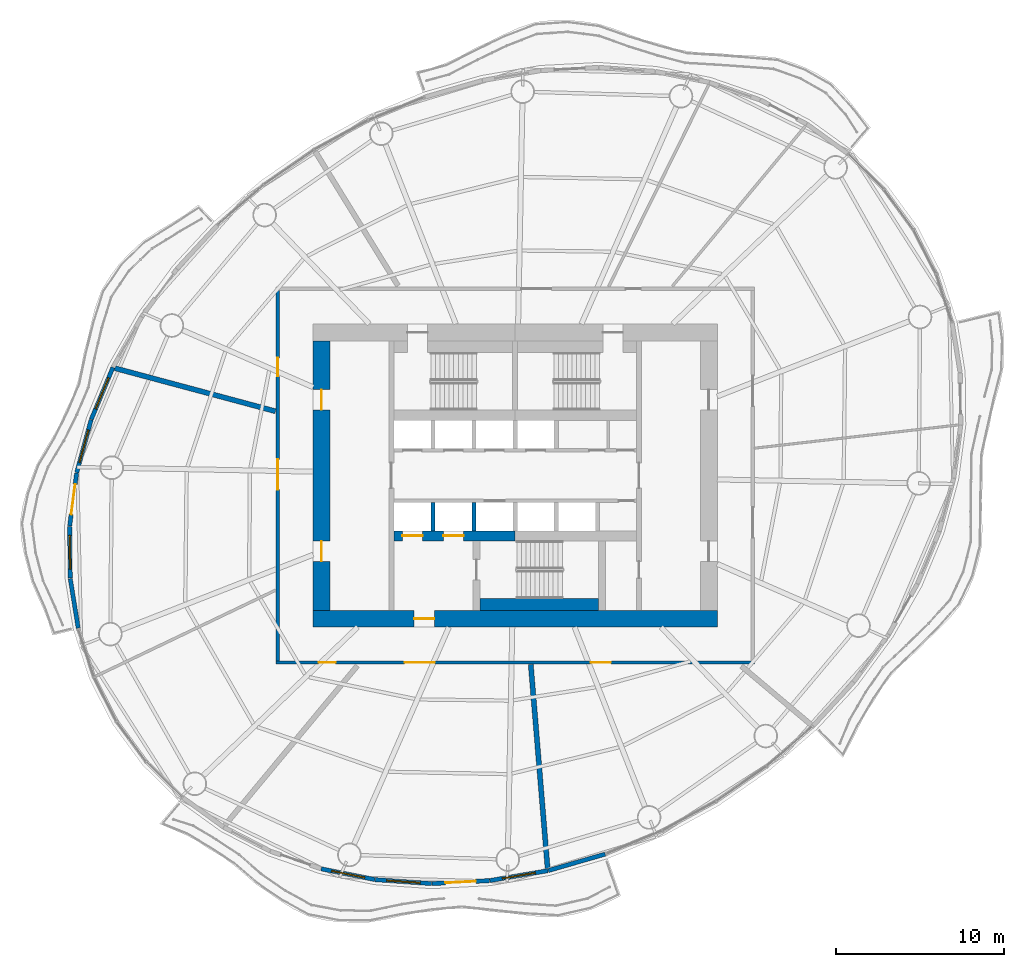
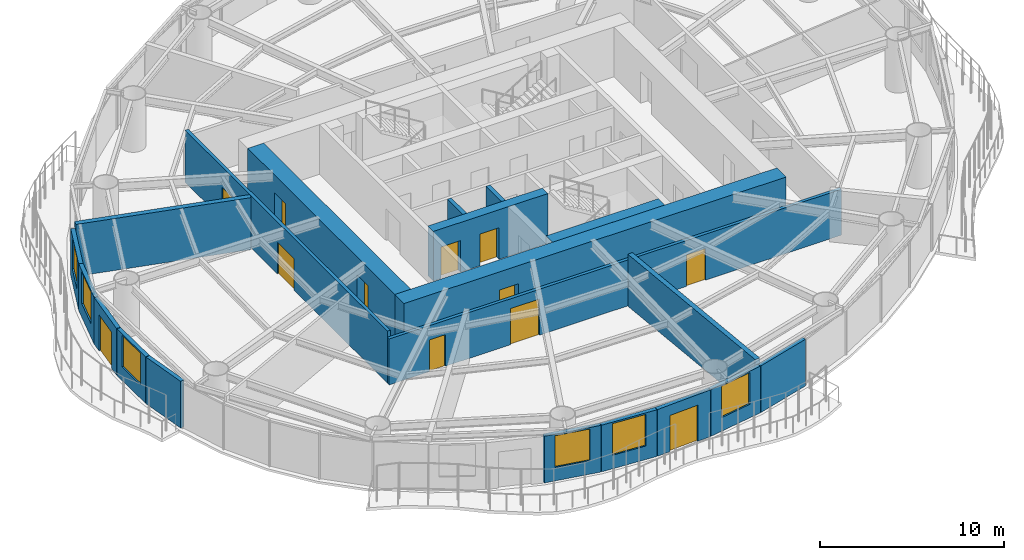
# One storey, part 8 of 15: 20 walls, 12 doors, 6 windows, 18 openings.
"""IFC4 building model written with IfcOpenShell, lengths in metres."""

from ifc_helpers import new_model, si_unit, direction, frame, frame_2d, origin, place, context, subcontext, project, spatial, rectangle, extrude, material, layer, layer_set, type_object, element, fill, save


model = new_model("IFC4")

# Units and contexts
model_context = context("Model", 3, precision=1e-05, world=origin(), true_north=direction((0.0, 1.0)))
body_context = subcontext(model_context, "Body", "Model", "MODEL_VIEW")
ifc_project = project(units=[si_unit("LENGTHUNIT", "METRE"), si_unit("AREAUNIT", "SQUARE_METRE"), si_unit("VOLUMEUNIT", "CUBIC_METRE"), si_unit("PLANEANGLEUNIT", "RADIAN"), si_unit("MASSUNIT", "GRAM", prefix="KILO")], contexts=[model_context])

# Site, building, storey
site_placement = place(None, origin())
site = spatial("IfcSite", under=ifc_project, at=site_placement, CompositionType="ELEMENT")
building_placement = place(site_placement, origin())
building = spatial("IfcBuilding", under=site, at=building_placement, Name="Vermilion Reach Broadcast Tower", CompositionType="ELEMENT")
storey_placement = place(building_placement, frame((0.0, 0.0, 161.39990234375)))
storey = spatial("IfcBuildingStorey", under=building, at=storey_placement, Name="L38", CompositionType="ELEMENT", Elevation=161.39990234375)

# Wall, openings, doors
ifc_material_1 = material(Name="Concrete C70", Category="concrete")
ifc_layer_1 = layer(ifc_material_1, 0.60009765625)
ifc_layer_set_1 = layer_set([ifc_layer_1], Name="Core inner wall 600 mm Concrete C70")
wall_type_1 = type_object("IfcWallType", Name="Core inner wall 600 mm Concrete C70", PredefinedType="SHEAR", material=ifc_layer_set_1)
wall_1_placement = place(storey_placement, frame((-13.199951171875, -3.580078125, 0.0), z_axis=(0.0, 0.0, 1.0), x_axis=(1.0, 0.0, 0.0)))
wall_1 = element("IfcWall", 1, at=wall_1_placement, inside=storey, type_object=wall_type_1, Name="L38 core wall wisW", PredefinedType="SHEAR", context=body_context, shape_type="SweptSolid", body=[
    extrude(rectangle(XDim=7.199951171875, YDim=0.60009765625, at=frame_2d((3.60009765625, 0.0))), origin(), (0.0, 0.0, 1.0), 3.300048828125),
])
opening_1_placement = place(wall_1_placement, frame((0.495849609375, 0.0, 0.0)))
opening_1 = element("IfcOpeningElement", 2, at=opening_1_placement, cuts=wall_1, Name="Opening LD1", PredefinedType="OPENING", context=body_context, shape_type="SweptSolid", body=[
    extrude(rectangle(XDim=1.199951171875, YDim=2.10009765625, at=frame_2d((0.60009765625, 1.050048828125))), frame((0.0, 0.31005859375, 0.0), z_axis=(0.0, -1.0, 0.0), x_axis=(1.0, 0.0, 0.0)), (0.0, 0.0, 1.0), 0.6201171875),
])
opening_2_placement = place(wall_1_placement, frame((2.9375, 0.0, 0.0)))
opening_2 = element("IfcOpeningElement", 3, at=opening_2_placement, cuts=wall_1, Name="Opening LD1", PredefinedType="OPENING", context=body_context, shape_type="SweptSolid", body=[
    extrude(rectangle(XDim=1.199951171875, YDim=2.10009765625, at=frame_2d((0.60009765625, 1.050048828125))), frame((0.0, 0.31005859375, 0.0), z_axis=(0.0, -1.0, 0.0), x_axis=(1.0, 0.0, 0.0)), (0.0, 0.0, 1.0), 0.6201171875),
])
ifc_material_2 = material(Name="Stainless steel", Category="steel")
door_type_1 = type_object("IfcDoorType", Name="Landing door 1200 x 2100", OperationType="DOUBLE_DOOR_SLIDING", PredefinedType="NOTDEFINED", material=ifc_material_2)
door_1_placement = place(opening_1_placement, origin())
door_1 = element("IfcDoor", 4, at=door_1_placement, inside=storey, type_object=door_type_1, Name="L38 landing door FF1", OperationType="DOUBLE_DOOR_SLIDING", OverallHeight=2.10009765625, OverallWidth=1.199951171875, PredefinedType="NOTDEFINED", context=body_context, shape_type="SweptSolid", body=[
    extrude(rectangle(XDim=1.199951171875, YDim=2.10009765625, at=frame_2d((0.60009765625, 1.050048828125))), frame((0.0, 0.02490234375, 0.0), z_axis=(0.0, -1.0, 0.0), x_axis=(1.0, 0.0, 0.0)), (0.0, 0.0, 1.0), 0.050048828125),
])
fill(opening_1, door_1)
door_2_placement = place(opening_2_placement, origin())
door_2 = element("IfcDoor", 5, at=door_2_placement, inside=storey, type_object=door_type_1, Name="L38 landing door FF2", OperationType="DOUBLE_DOOR_SLIDING", OverallHeight=2.10009765625, OverallWidth=1.199951171875, PredefinedType="NOTDEFINED", context=body_context, shape_type="SweptSolid", body=[
    extrude(rectangle(XDim=1.199951171875, YDim=2.10009765625, at=frame_2d((0.60009765625, 1.050048828125))), frame((0.0, 0.02490234375, 0.0), z_axis=(0.0, -1.0, 0.0), x_axis=(1.0, 0.0, 0.0)), (0.0, 0.0, 1.0), 0.050048828125),
])
fill(opening_2, door_2)

# Wall, opening, door
ifc_material_3 = material(Name="Concrete C70", Category="concrete")
ifc_layer_2 = layer(ifc_material_3, 1.0)
ifc_layer_set_2 = layer_set([ifc_layer_2], Name="Core outer wall 1000 mm Concrete C70")
wall_type_2 = type_object("IfcWallType", Name="Core outer wall 1000 mm Concrete C70", PredefinedType="SHEAR", material=ifc_layer_set_2)
wall_2_placement = place(storey_placement, frame((-18.0, -8.5, 0.0), z_axis=(0.0, 0.0, 1.0), x_axis=(1.0, 0.0, 0.0)))
wall_2 = element("IfcWall", 6, at=wall_2_placement, inside=storey, type_object=wall_type_2, Name="L38 core wall os", PredefinedType="SHEAR", context=body_context, shape_type="SweptSolid", body=[
    extrude(rectangle(XDim=24.0, YDim=1.0, at=frame_2d((12.0, 0.0))), origin(), (0.0, 0.0, 1.0), 3.300048828125),
])
opening_3_placement = place(wall_2_placement, frame((6.0, 0.0, 0.0)))
opening_3 = element("IfcOpeningElement", 7, at=opening_3_placement, cuts=wall_2, Name="Opening D02", PredefinedType="OPENING", context=body_context, shape_type="SweptSolid", body=[
    extrude(rectangle(XDim=1.199951171875, YDim=2.10009765625, at=frame_2d((0.60009765625, 1.050048828125))), frame((0.0, 0.510009765625, 0.0), z_axis=(0.0, -1.0, 0.0), x_axis=(1.0, 0.0, 0.0)), (0.0, 0.0, 1.0), 1.02001953125),
])
ifc_material_4 = material(Name="Painted steel fire door", Category="steel")
door_type_2 = type_object("IfcDoorType", Name="Firefighting lobby door 1200 x 2100", OperationType="DOUBLE_DOOR_SINGLE_SWING", PredefinedType="NOTDEFINED", material=ifc_material_4)
door_3_placement = place(opening_3_placement, origin())
door_3 = element("IfcDoor", 8, at=door_3_placement, inside=storey, type_object=door_type_2, Name="L38 ffdoor door FFL", OperationType="DOUBLE_DOOR_SINGLE_SWING", OverallHeight=2.10009765625, OverallWidth=1.199951171875, PredefinedType="NOTDEFINED", context=body_context, shape_type="SweptSolid", body=[
    extrude(rectangle(XDim=1.199951171875, YDim=2.10009765625, at=frame_2d((0.60009765625, 1.050048828125))), frame((0.0, 0.02490234375, 0.0), z_axis=(0.0, -1.0, 0.0), x_axis=(1.0, 0.0, 0.0)), (0.0, 0.0, 1.0), 0.050048828125),
])
fill(opening_3, door_3)

# Wall, openings, doors
wall_3_placement = place(storey_placement, frame((-17.5, 8.0, 0.0), z_axis=(0.0, 0.0, 1.0), x_axis=(0.0, -1.0, 0.0)))
wall_3 = element("IfcWall", 9, at=wall_3_placement, inside=storey, type_object=wall_type_2, Name="L38 core wall ow", PredefinedType="SHEAR", context=body_context, shape_type="SweptSolid", body=[
    extrude(rectangle(XDim=16.0, YDim=1.0, at=frame_2d((8.0, 0.0))), origin(), (0.0, 0.0, 1.0), 3.300048828125),
])
opening_4_placement = place(wall_3_placement, frame((11.89990234375, 0.0, 0.0)))
opening_4 = element("IfcOpeningElement", 10, at=opening_4_placement, cuts=wall_3, Name="Opening D03", PredefinedType="OPENING", context=body_context, shape_type="SweptSolid", body=[
    extrude(rectangle(XDim=1.199951171875, YDim=2.10009765625, at=frame_2d((0.60009765625, 1.050048828125))), frame((0.0, 0.510009765625, 0.0), z_axis=(0.0, -1.0, 0.0), x_axis=(1.0, 0.0, 0.0)), (0.0, 0.0, 1.0), 1.02001953125),
])
opening_5_placement = place(wall_3_placement, frame((2.89990234375, 0.0, 0.0)))
opening_5 = element("IfcOpeningElement", 11, at=opening_5_placement, cuts=wall_3, Name="Opening D03", PredefinedType="OPENING", context=body_context, shape_type="SweptSolid", body=[
    extrude(rectangle(XDim=1.199951171875, YDim=2.10009765625, at=frame_2d((0.60009765625, 1.050048828125))), frame((0.0, 0.510009765625, 0.0), z_axis=(0.0, -1.0, 0.0), x_axis=(1.0, 0.0, 0.0)), (0.0, 0.0, 1.0), 1.02001953125),
])
ifc_material_5 = material(Name="Painted steel fire door", Category="steel")
door_type_3 = type_object("IfcDoorType", Name="Core lobby door 1200 x 2100", OperationType="DOUBLE_DOOR_SINGLE_SWING", PredefinedType="NOTDEFINED", material=ifc_material_5)
door_4_placement = place(opening_4_placement, origin())
door_4 = element("IfcDoor", 12, at=door_4_placement, inside=storey, type_object=door_type_3, Name="L38 slot door W0", OperationType="DOUBLE_DOOR_SINGLE_SWING", OverallHeight=2.10009765625, OverallWidth=1.199951171875, PredefinedType="NOTDEFINED", context=body_context, shape_type="SweptSolid", body=[
    extrude(rectangle(XDim=1.199951171875, YDim=2.10009765625, at=frame_2d((0.60009765625, 1.050048828125))), frame((0.0, 0.02490234375, 0.0), z_axis=(0.0, -1.0, 0.0), x_axis=(1.0, 0.0, 0.0)), (0.0, 0.0, 1.0), 0.050048828125),
])
fill(opening_4, door_4)
door_5_placement = place(opening_5_placement, origin())
door_5 = element("IfcDoor", 13, at=door_5_placement, inside=storey, type_object=door_type_3, Name="L38 slot door W1", OperationType="DOUBLE_DOOR_SINGLE_SWING", OverallHeight=2.10009765625, OverallWidth=1.199951171875, PredefinedType="NOTDEFINED", context=body_context, shape_type="SweptSolid", body=[
    extrude(rectangle(XDim=1.199951171875, YDim=2.10009765625, at=frame_2d((0.60009765625, 1.050048828125))), frame((0.0, 0.02490234375, 0.0), z_axis=(0.0, -1.0, 0.0), x_axis=(1.0, 0.0, 0.0)), (0.0, 0.0, 1.0), 0.050048828125),
])
fill(opening_5, door_5)

# Walls
ifc_material_6 = material(Name="Concrete C50", Category="concrete")
ifc_layer_3 = layer(ifc_material_6, 0.25)
ifc_layer_set_3 = layer_set([ifc_layer_3], Name="Core shaft wall 250 mm Concrete C50")
wall_type_3 = type_object("IfcWallType", Name="Core shaft wall 250 mm Concrete C50", PredefinedType="SHEAR", material=ifc_layer_set_3)
for number, where, z_axis, x_axis, name in (
    (14, (-10.88330078125, -1.60009765625, 0.0), (0.0, 0.0, 1.0), (0.0, -1.0, 0.0), "L38 core wall psS0"),
    (15, (-8.441650390625, -1.60009765625, 0.0), (0.0, 0.0, 1.0), (0.0, -1.0, 0.0), "L38 core wall psS1"),
):
    element("IfcWall", number, at=place(storey_placement, frame(where, z_axis=z_axis, x_axis=x_axis)), inside=storey, type_object=wall_type_3, Name=name, PredefinedType="SHEAR", context=body_context, shape_type="SweptSolid", body=[
        extrude(rectangle(XDim=1.679931640625, YDim=0.25, at=frame_2d((0.83984375, 0.0))), origin(), (0.0, 0.0, 1.0), 3.300048828125),
    ])
ifc_material_7 = material(Name="Concrete C70", Category="concrete")
ifc_layer_4 = layer(ifc_material_7, 0.699951171875)
ifc_layer_set_4 = layer_set([ifc_layer_4], Name="Core stair wall 700 mm Concrete C70")
wall_type_4 = type_object("IfcWallType", Name="Core stair wall 700 mm Concrete C70", PredefinedType="SHEAR", material=ifc_layer_set_4)
wall_4_placement = place(storey_placement, frame((-8.10009765625, -7.64990234375, 0.0), z_axis=(0.0, 0.0, 1.0), x_axis=(1.0, 0.0, 0.0)))
element("IfcWall", 16, at=wall_4_placement, inside=storey, type_object=wall_type_4, Name="L38 core wall l3", PredefinedType="SHEAR", context=body_context, shape_type="SweptSolid", body=[
    extrude(rectangle(XDim=7.050048828125, YDim=0.699951171875, at=frame_2d((3.52490234375, 0.0))), origin(), (0.0, 0.0, 1.0), 3.300048828125),
])

# Wall, openings, doors
ifc_material_8 = material(Name="Fire-rated gypsum board partition")
ifc_layer_5 = layer(ifc_material_8, 0.199951171875)
ifc_layer_set_5 = layer_set([ifc_layer_5], Name="Corridor wall 200 fire-rated")
wall_type_5 = type_object("IfcWallType", Name="Corridor wall 200 fire-rated", PredefinedType="PARTITIONING", material=ifc_layer_set_5)
wall_5_placement = place(storey_placement, frame((-20.10009765625, -11.0, 0.0), z_axis=(0.0, 0.0, 1.0), x_axis=(0.0, 1.0, 0.0)))
wall_5 = element("IfcWall", 17, at=wall_5_placement, inside=storey, type_object=wall_type_5, Name="Corridor wall 38.W", PredefinedType="PARTITIONING", context=body_context, shape_type="SweptSolid", body=[
    extrude(rectangle(XDim=22.0, YDim=0.199951171875, at=frame_2d((11.0, 0.0))), origin(), (0.0, 0.0, 1.0), 3.4501953125),
])
opening_6_placement = place(wall_5_placement, frame((16.895751953125, 0.0, 0.0)))
opening_6 = element("IfcOpeningElement", 18, at=opening_6_placement, cuts=wall_5, Name="Opening D28", PredefinedType="OPENING", context=body_context, shape_type="SweptSolid", body=[
    extrude(rectangle(XDim=1.10009765625, YDim=2.10009765625, at=frame_2d((0.550048828125, 1.050048828125))), frame((0.0, 0.10986328125, 0.0), z_axis=(0.0, -1.0, 0.0), x_axis=(1.0, 0.0, 0.0)), (0.0, 0.0, 1.0), 0.219970703125),
])
opening_7_placement = place(wall_5_placement, frame((10.167724609375, 0.0, 0.0)))
opening_7 = element("IfcOpeningElement", 19, at=opening_7_placement, cuts=wall_5, Name="Opening D21", PredefinedType="OPENING", context=body_context, shape_type="SweptSolid", body=[
    extrude(rectangle(XDim=1.800048828125, YDim=2.10009765625, at=frame_2d((0.89990234375, 1.050048828125))), frame((0.0, 0.10986328125, 0.0), z_axis=(0.0, -1.0, 0.0), x_axis=(1.0, 0.0, 0.0)), (0.0, 0.0, 1.0), 0.219970703125),
])
ifc_material_9 = material(Name="Timber door leaf", Category="wood")
door_type_4 = type_object("IfcDoorType", Name="Door pair 1800x2100", OperationType="NOTDEFINED", PredefinedType="DOOR", material=ifc_material_9)
door_6_placement = place(opening_7_placement, origin())
door_6 = element("IfcDoor", 20, at=door_6_placement, inside=storey, type_object=door_type_4, Name="Door 38.04", OperationType="DOUBLE_DOOR_SINGLE_SWING", OverallHeight=2.10009765625, OverallWidth=1.800048828125, PredefinedType="DOOR", context=body_context, shape_type="SweptSolid", body=[
    extrude(rectangle(XDim=1.800048828125, YDim=2.10009765625, at=frame_2d((0.89990234375, 1.050048828125))), frame((0.0, 0.02490234375, 0.0), z_axis=(0.0, -1.0, 0.0), x_axis=(1.0, 0.0, 0.0)), (0.0, 0.0, 1.0), 0.050048828125),
])
fill(opening_7, door_6)
ifc_material_10 = material(Name="Acoustic sound-lock door leaf")
door_type_5 = type_object("IfcDoorType", Name="Door single 1100x2100", OperationType="NOTDEFINED", PredefinedType="DOOR", material=ifc_material_10)
door_7_placement = place(opening_6_placement, origin())
door_7 = element("IfcDoor", 21, at=door_7_placement, inside=storey, type_object=door_type_5, Name="Door 38.03", OperationType="SINGLE_SWING_LEFT", OverallHeight=2.10009765625, OverallWidth=1.10009765625, PredefinedType="DOOR", context=body_context, shape_type="SweptSolid", body=[
    extrude(rectangle(XDim=1.10009765625, YDim=2.10009765625, at=frame_2d((0.550048828125, 1.050048828125))), frame((0.0, 0.02490234375, 0.0), z_axis=(0.0, -1.0, 0.0), x_axis=(1.0, 0.0, 0.0)), (0.0, 0.0, 1.0), 0.050048828125),
])
fill(opening_6, door_7)

# Walls
ifc_material_11 = material(Name="Double-leaf plasterboard on isolated steel stud", Category="steel")
ifc_layer_6 = layer(ifc_material_11, 0.300048828125)
ifc_layer_set_6 = layer_set([ifc_layer_6], Name="Partition 300 acoustic double leaf")
wall_type_6 = type_object("IfcWallType", Name="Partition 300 acoustic double leaf", PredefinedType="PARTITIONING", material=ifc_layer_set_6)
wall_6_placement = place(storey_placement, frame((-29.771728515625, 6.37548828125, 0.0), z_axis=(0.0, 0.0, 1.0), x_axis=(0.965867747251, -0.259035701826, 0.0)))
element("IfcWall", 22, at=wall_6_placement, inside=storey, type_object=wall_type_6, Name="Partition 38.04", PredefinedType="PARTITIONING", context=body_context, shape_type="SweptSolid", body=[
    extrude(rectangle(XDim=9.869873046875, YDim=0.300048828125, at=frame_2d((4.93505859375, 0.0))), origin(), (0.0, 0.0, 1.0), 3.4501953125),
])
wall_7_placement = place(storey_placement, frame((-4.07373046875, -23.3388671875, 0.0), z_axis=(0.0, 0.0, 1.0), x_axis=(-0.082245080322, 0.996612134565, 0.0)))
element("IfcWall", 23, at=wall_7_placement, inside=storey, type_object=wall_type_6, Name="Partition 38.07", PredefinedType="PARTITIONING", context=body_context, shape_type="SweptSolid", body=[
    extrude(rectangle(XDim=12.167724609375, YDim=0.300048828125, at=frame_2d((6.083984375, 0.0))), origin(), (0.0, 0.0, 1.0), 3.4501953125),
])

# Wall, opening, window
ifc_material_12 = material(Name="Terracotta rainscreen cladding", Category="masonry")
ifc_layer_7 = layer(ifc_material_12, 0.25)
ifc_layer_set_7 = layer_set([ifc_layer_7], Name="Terracotta rainscreen wall 250")
wall_type_7 = type_object("IfcWallType", Name="Terracotta rainscreen wall 250", PredefinedType="SOLIDWALL", material=ifc_layer_set_7)
wall_8_placement = place(storey_placement, frame((-29.888427734375, 6.419921875, 0.0), z_axis=(0.0, 0.0, 1.0), x_axis=(-0.38458945082, -0.923087728397, 0.0)))
wall_8 = element("IfcWall", 24, at=wall_8_placement, inside=storey, type_object=wall_type_7, Name="External wall L38 17", PredefinedType="SOLIDWALL", context=body_context, shape_type="SweptSolid", body=[
    extrude(rectangle(XDim=3.34228515625, YDim=0.25, at=frame_2d((1.671142578125, 0.0))), origin(), (0.0, 0.0, 1.0), 3.10009765625),
])
opening_8_placement = place(wall_8_placement, frame((0.671142578125, 0.0, 0.89990234375)))
opening_8 = element("IfcOpeningElement", 25, at=opening_8_placement, cuts=wall_8, Name="Opening W03", PredefinedType="OPENING", context=body_context, shape_type="SweptSolid", body=[
    extrude(rectangle(XDim=2.0, YDim=2.10009765625, at=frame_2d((1.0, 1.050048828125))), frame((0.0, 0.135009765625, 0.0), z_axis=(0.0, -1.0, 0.0), x_axis=(1.0, 0.0, 0.0)), (0.0, 0.0, 1.0), 0.27001953125),
])
ifc_material_13 = material(Name="Low-e laminated clear glass in aluminium frame", Category="aluminium")
window_type = type_object("IfcWindowType", Name="Punched window 2000 x 2100 sill 900", PartitioningType="SINGLE_PANEL", PredefinedType="WINDOW", material=ifc_material_13)
window_1_placement = place(opening_8_placement, origin())
window_1 = element("IfcWindow", 26, at=window_1_placement, inside=storey, type_object=window_type, Name="Window L38 17", OverallHeight=2.10009765625, OverallWidth=2.0, PartitioningType="SINGLE_PANEL", PredefinedType="WINDOW", context=body_context, shape_type="SweptSolid", body=[
    extrude(rectangle(XDim=2.0, YDim=2.10009765625, at=frame_2d((1.0, 1.050048828125))), frame((0.0, 0.030029296875, 0.0), z_axis=(0.0, -1.0, 0.0), x_axis=(1.0, 0.0, 0.0)), (0.0, 0.0, 1.0), 0.06005859375),
])
fill(opening_8, window_1)

wall_9_placement = place(storey_placement, frame((-31.181640625, 3.31201171875, 0.0), z_axis=(0.0, 0.0, 1.0), x_axis=(-0.263263454996, -0.964723977759, 0.0)))
wall_9 = element("IfcWall", 27, at=wall_9_placement, inside=storey, type_object=wall_type_7, Name="External wall L38 18", PredefinedType="SOLIDWALL", context=body_context, shape_type="SweptSolid", body=[
    extrude(rectangle(XDim=3.253173828125, YDim=0.25, at=frame_2d((1.62646484375, 0.0))), origin(), (0.0, 0.0, 1.0), 3.10009765625),
])
opening_9_placement = place(wall_9_placement, frame((0.62646484375, 0.0, 0.89990234375)))
opening_9 = element("IfcOpeningElement", 28, at=opening_9_placement, cuts=wall_9, Name="Opening W03", PredefinedType="OPENING", context=body_context, shape_type="SweptSolid", body=[
    extrude(rectangle(XDim=2.0, YDim=2.10009765625, at=frame_2d((1.0, 1.050048828125))), frame((0.0, 0.135009765625, 0.0), z_axis=(0.0, -1.0, 0.0), x_axis=(1.0, 0.0, 0.0)), (0.0, 0.0, 1.0), 0.27001953125),
])
window_2_placement = place(opening_9_placement, origin())
window_2 = element("IfcWindow", 29, at=window_2_placement, inside=storey, type_object=window_type, Name="Window L38 18", OverallHeight=2.10009765625, OverallWidth=2.0, PartitioningType="SINGLE_PANEL", PredefinedType="WINDOW", context=body_context, shape_type="SweptSolid", body=[
    extrude(rectangle(XDim=2.0, YDim=2.10009765625, at=frame_2d((1.0, 1.050048828125))), frame((0.0, 0.030029296875, 0.0), z_axis=(0.0, -1.0, 0.0), x_axis=(1.0, 0.0, 0.0)), (0.0, 0.0, 1.0), 0.06005859375),
])
fill(opening_9, window_2)

# Wall, opening, door
wall_10_placement = place(storey_placement, frame((-32.04296875, 0.149169921875, 0.0), z_axis=(0.0, 0.0, 1.0), x_axis=(-0.13076382866, -0.991413546969, 0.0)))
wall_10 = element("IfcWall", 30, at=wall_10_placement, inside=storey, type_object=wall_type_7, Name="External wall L38 19", PredefinedType="SOLIDWALL", context=body_context, shape_type="SweptSolid", body=[
    extrude(rectangle(XDim=3.16455078125, YDim=0.25, at=frame_2d((1.582275390625, 0.0))), origin(), (0.0, 0.0, 1.0), 3.10009765625),
])
opening_10_placement = place(wall_10_placement, frame((0.681884765625, 0.0, 0.0)))
opening_10 = element("IfcOpeningElement", 31, at=opening_10_placement, cuts=wall_10, Name="Opening D70", PredefinedType="OPENING", context=body_context, shape_type="SweptSolid", body=[
    extrude(rectangle(XDim=1.800048828125, YDim=2.39990234375, at=frame_2d((0.89990234375, 1.199951171875))), frame((0.0, 0.135009765625, 0.0), z_axis=(0.0, -1.0, 0.0), x_axis=(1.0, 0.0, 0.0)), (0.0, 0.0, 1.0), 0.27001953125),
])
ifc_material_14 = material(Name="Low-e laminated clear glass in aluminium frame", Category="aluminium")
door_type_6 = type_object("IfcDoorType", Name="Balcony sliding door 1800 x 2400", OperationType="DOUBLE_DOOR_SLIDING", PredefinedType="DOOR", material=ifc_material_14)
door_8_placement = place(opening_10_placement, origin())
door_8 = element("IfcDoor", 32, at=door_8_placement, inside=storey, type_object=door_type_6, Name="Balcony door L38 run 05", OperationType="DOUBLE_DOOR_SLIDING", OverallHeight=2.39990234375, OverallWidth=1.800048828125, PredefinedType="DOOR", context=body_context, shape_type="SweptSolid", body=[
    extrude(rectangle(XDim=1.800048828125, YDim=2.39990234375, at=frame_2d((0.89990234375, 1.199951171875))), frame((0.0, 0.02490234375, 0.0), z_axis=(0.0, -1.0, 0.0), x_axis=(1.0, 0.0, 0.0)), (0.0, 0.0, 1.0), 0.050048828125),
])
fill(opening_10, door_8)

# Wall, opening, window
wall_11_placement = place(storey_placement, frame((-32.458251953125, -3.01416015625, 0.0), z_axis=(0.0, 0.0, 1.0), x_axis=(0.011086671081, -0.999938540974, 0.0)))
wall_11 = element("IfcWall", 33, at=wall_11_placement, inside=storey, type_object=wall_type_7, Name="External wall L38 20", PredefinedType="SOLIDWALL", context=body_context, shape_type="SweptSolid", body=[
    extrude(rectangle(XDim=3.0830078125, YDim=0.25, at=frame_2d((1.54150390625, 0.0))), origin(), (0.0, 0.0, 1.0), 3.10009765625),
])
opening_11_placement = place(wall_11_placement, frame((0.54150390625, 0.0, 0.89990234375)))
opening_11 = element("IfcOpeningElement", 34, at=opening_11_placement, cuts=wall_11, Name="Opening W03", PredefinedType="OPENING", context=body_context, shape_type="SweptSolid", body=[
    extrude(rectangle(XDim=2.0, YDim=2.10009765625, at=frame_2d((1.0, 1.050048828125))), frame((0.0, 0.135009765625, 0.0), z_axis=(0.0, -1.0, 0.0), x_axis=(1.0, 0.0, 0.0)), (0.0, 0.0, 1.0), 0.27001953125),
])
window_3_placement = place(opening_11_placement, origin())
window_3 = element("IfcWindow", 35, at=window_3_placement, inside=storey, type_object=window_type, Name="Window L38 20", OverallHeight=2.10009765625, OverallWidth=2.0, PartitioningType="SINGLE_PANEL", PredefinedType="WINDOW", context=body_context, shape_type="SweptSolid", body=[
    extrude(rectangle(XDim=2.0, YDim=2.10009765625, at=frame_2d((1.0, 1.050048828125))), frame((0.0, 0.030029296875, 0.0), z_axis=(0.0, -1.0, 0.0), x_axis=(1.0, 0.0, 0.0)), (0.0, 0.0, 1.0), 0.06005859375),
])
fill(opening_11, window_3)

# Wall
wall_12_placement = place(storey_placement, frame((-32.421630859375, -6.12353515625, 0.0), z_axis=(0.0, 0.0, 1.0), x_axis=(0.159444104464, -0.987206957812, 0.0)))
element("IfcWall", 36, at=wall_12_placement, inside=storey, type_object=wall_type_7, Name="External wall L38 21", PredefinedType="SOLIDWALL", context=body_context, shape_type="SweptSolid", body=[
    extrude(rectangle(XDim=2.9736328125, YDim=0.25, at=frame_2d((1.48681640625, 0.0))), origin(), (0.0, 0.0, 1.0), 3.10009765625),
])

# Wall, opening, window
wall_13_placement = place(storey_placement, frame((-17.519775390625, -23.351806640625, 0.0), z_axis=(0.0, 0.0, 1.0), x_axis=(0.98035778713, -0.19722730342, 0.0)))
wall_13 = element("IfcWall", 37, at=wall_13_placement, inside=storey, type_object=wall_type_7, Name="External wall L38 29", PredefinedType="SOLIDWALL", context=body_context, shape_type="SweptSolid", body=[
    extrude(rectangle(XDim=3.253173828125, YDim=0.25, at=frame_2d((1.62646484375, 0.0))), origin(), (0.0, 0.0, 1.0), 3.10009765625),
])
opening_12_placement = place(wall_13_placement, frame((0.62646484375, 0.0, 0.89990234375)))
opening_12 = element("IfcOpeningElement", 38, at=opening_12_placement, cuts=wall_13, Name="Opening W03", PredefinedType="OPENING", context=body_context, shape_type="SweptSolid", body=[
    extrude(rectangle(XDim=2.0, YDim=2.10009765625, at=frame_2d((1.0, 1.050048828125))), frame((0.0, 0.135009765625, 0.0), z_axis=(0.0, -1.0, 0.0), x_axis=(1.0, 0.0, 0.0)), (0.0, 0.0, 1.0), 0.27001953125),
])
window_4_placement = place(opening_12_placement, origin())
window_4 = element("IfcWindow", 39, at=window_4_placement, inside=storey, type_object=window_type, Name="Window L38 29", OverallHeight=2.10009765625, OverallWidth=2.0, PartitioningType="SINGLE_PANEL", PredefinedType="WINDOW", context=body_context, shape_type="SweptSolid", body=[
    extrude(rectangle(XDim=2.0, YDim=2.10009765625, at=frame_2d((1.0, 1.050048828125))), frame((0.0, 0.030029296875, 0.0), z_axis=(0.0, -1.0, 0.0), x_axis=(1.0, 0.0, 0.0)), (0.0, 0.0, 1.0), 0.06005859375),
])
fill(opening_12, window_4)

wall_14_placement = place(storey_placement, frame((-14.306884765625, -23.99658203125, 0.0), z_axis=(0.0, 0.0, 1.0), x_axis=(0.997538162384, -0.070125705616, 0.0)))
wall_14 = element("IfcWall", 40, at=wall_14_placement, inside=storey, type_object=wall_type_7, Name="External wall L38 30", PredefinedType="SOLIDWALL", context=body_context, shape_type="SweptSolid", body=[
    extrude(rectangle(XDim=3.34228515625, YDim=0.25, at=frame_2d((1.671142578125, 0.0))), origin(), (0.0, 0.0, 1.0), 3.10009765625),
])
opening_13_placement = place(wall_14_placement, frame((0.671142578125, 0.0, 0.89990234375)))
opening_13 = element("IfcOpeningElement", 41, at=opening_13_placement, cuts=wall_14, Name="Opening W03", PredefinedType="OPENING", context=body_context, shape_type="SweptSolid", body=[
    extrude(rectangle(XDim=2.0, YDim=2.10009765625, at=frame_2d((1.0, 1.050048828125))), frame((0.0, 0.135009765625, 0.0), z_axis=(0.0, -1.0, 0.0), x_axis=(1.0, 0.0, 0.0)), (0.0, 0.0, 1.0), 0.27001953125),
])
window_5_placement = place(opening_13_placement, origin())
window_5 = element("IfcWindow", 42, at=window_5_placement, inside=storey, type_object=window_type, Name="Window L38 30", OverallHeight=2.10009765625, OverallWidth=2.0, PartitioningType="SINGLE_PANEL", PredefinedType="WINDOW", context=body_context, shape_type="SweptSolid", body=[
    extrude(rectangle(XDim=2.0, YDim=2.10009765625, at=frame_2d((1.0, 1.050048828125))), frame((0.0, 0.030029296875, 0.0), z_axis=(0.0, -1.0, 0.0), x_axis=(1.0, 0.0, 0.0)), (0.0, 0.0, 1.0), 0.06005859375),
])
fill(opening_13, window_5)

# Wall, opening, door
wall_15_placement = place(storey_placement, frame((-10.94970703125, -24.231201171875, 0.0), z_axis=(0.0, 0.0, 1.0), x_axis=(0.99864973031, 0.051949168931, 0.0)))
wall_15 = element("IfcWall", 43, at=wall_15_placement, inside=storey, type_object=wall_type_7, Name="External wall L38 31", PredefinedType="SOLIDWALL", context=body_context, shape_type="SweptSolid", body=[
    extrude(rectangle(XDim=3.426025390625, YDim=0.25, at=frame_2d((1.712890625, 0.0))), origin(), (0.0, 0.0, 1.0), 3.10009765625),
])
opening_14_placement = place(wall_15_placement, frame((0.81298828125, 0.0, 0.0)))
opening_14 = element("IfcOpeningElement", 44, at=opening_14_placement, cuts=wall_15, Name="Opening D70", PredefinedType="OPENING", context=body_context, shape_type="SweptSolid", body=[
    extrude(rectangle(XDim=1.800048828125, YDim=2.39990234375, at=frame_2d((0.89990234375, 1.199951171875))), frame((0.0, 0.135009765625, 0.0), z_axis=(0.0, -1.0, 0.0), x_axis=(1.0, 0.0, 0.0)), (0.0, 0.0, 1.0), 0.27001953125),
])
door_9_placement = place(opening_14_placement, origin())
door_9 = element("IfcDoor", 45, at=door_9_placement, inside=storey, type_object=door_type_6, Name="Balcony door L38 run 08", OperationType="DOUBLE_DOOR_SLIDING", OverallHeight=2.39990234375, OverallWidth=1.800048828125, PredefinedType="DOOR", context=body_context, shape_type="SweptSolid", body=[
    extrude(rectangle(XDim=1.800048828125, YDim=2.39990234375, at=frame_2d((0.89990234375, 1.199951171875))), frame((0.0, 0.02490234375, 0.0), z_axis=(0.0, -1.0, 0.0), x_axis=(1.0, 0.0, 0.0)), (0.0, 0.0, 1.0), 0.050048828125),
])
fill(opening_14, door_9)

# Wall, opening, window
wall_16_placement = place(storey_placement, frame((-7.505859375, -24.05078125, 0.0), z_axis=(0.0, 0.0, 1.0), x_axis=(0.985772258291, 0.168086450327, 0.0)))
wall_16 = element("IfcWall", 46, at=wall_16_placement, inside=storey, type_object=wall_type_7, Name="External wall L38 32", PredefinedType="SOLIDWALL", context=body_context, shape_type="SweptSolid", body=[
    extrude(rectangle(XDim=3.4990234375, YDim=0.25, at=frame_2d((1.74951171875, 0.0))), origin(), (0.0, 0.0, 1.0), 3.10009765625),
])
opening_15_placement = place(wall_16_placement, frame((0.74951171875, 0.0, 0.89990234375)))
opening_15 = element("IfcOpeningElement", 47, at=opening_15_placement, cuts=wall_16, Name="Opening W03", PredefinedType="OPENING", context=body_context, shape_type="SweptSolid", body=[
    extrude(rectangle(XDim=2.0, YDim=2.10009765625, at=frame_2d((1.0, 1.050048828125))), frame((0.0, 0.135009765625, 0.0), z_axis=(0.0, -1.0, 0.0), x_axis=(1.0, 0.0, 0.0)), (0.0, 0.0, 1.0), 0.27001953125),
])
window_6_placement = place(opening_15_placement, origin())
window_6 = element("IfcWindow", 48, at=window_6_placement, inside=storey, type_object=window_type, Name="Window L38 32", OverallHeight=2.10009765625, OverallWidth=2.0, PartitioningType="SINGLE_PANEL", PredefinedType="WINDOW", context=body_context, shape_type="SweptSolid", body=[
    extrude(rectangle(XDim=2.0, YDim=2.10009765625, at=frame_2d((1.0, 1.050048828125))), frame((0.0, 0.030029296875, 0.0), z_axis=(0.0, -1.0, 0.0), x_axis=(1.0, 0.0, 0.0)), (0.0, 0.0, 1.0), 0.06005859375),
])
fill(opening_15, window_6)

# Wall
wall_17_placement = place(storey_placement, frame((-4.03515625, -23.457763671875, 0.0), z_axis=(0.0, 0.0, 1.0), x_axis=(0.960600884438, 0.277931539801, 0.0)))
element("IfcWall", 49, at=wall_17_placement, inside=storey, type_object=wall_type_7, Name="External wall L38 33", PredefinedType="SOLIDWALL", context=body_context, shape_type="SweptSolid", body=[
    extrude(rectangle(XDim=3.513671875, YDim=0.25, at=frame_2d((1.7568359375, 0.0))), origin(), (0.0, 0.0, 1.0), 3.10009765625),
])

# Wall, openings, doors
ifc_material_15 = material(Name="Fire-rated gypsum board partition")
ifc_layer_8 = layer(ifc_material_15, 0.199951171875)
ifc_layer_set_8 = layer_set([ifc_layer_8], Name="Under girder: Corridor wall 200 fire-rated")
wall_type_8 = type_object("IfcWallType", Name="Under girder: Corridor wall 200 fire-rated", PredefinedType="PARTITIONING", material=ifc_layer_set_8)
wall_18_placement = place(storey_placement, frame((8.199951171875, -11.10009765625, 0.0), z_axis=(0.0, 0.0, 1.0), x_axis=(-1.0, 0.0, 0.0)))
wall_18 = element("IfcWall", 50, at=wall_18_placement, inside=storey, type_object=wall_type_8, Name="Corridor wall 38.S", PredefinedType="PARTITIONING", context=body_context, shape_type="SweptSolid", body=[
    extrude(rectangle(XDim=28.39990234375, YDim=0.199951171875, at=frame_2d((14.199951171875, 0.0))), origin(), (0.0, 0.0, 1.0), 3.050048828125),
])
opening_16_placement = place(wall_18_placement, frame((24.868408203125, 0.0, 0.0)))
opening_16 = element("IfcOpeningElement", 51, at=opening_16_placement, cuts=wall_18, Name="Opening D20", PredefinedType="OPENING", context=body_context, shape_type="SweptSolid", body=[
    extrude(rectangle(XDim=1.0, YDim=2.10009765625, at=frame_2d((0.5, 1.050048828125))), frame((0.0, 0.10986328125, 0.0), z_axis=(0.0, -1.0, 0.0), x_axis=(1.0, 0.0, 0.0)), (0.0, 0.0, 1.0), 0.219970703125),
])
opening_17_placement = place(wall_18_placement, frame((18.97119140625, 0.0, 0.0)))
opening_17 = element("IfcOpeningElement", 52, at=opening_17_placement, cuts=wall_18, Name="Opening D27", PredefinedType="OPENING", context=body_context, shape_type="SweptSolid", body=[
    extrude(rectangle(XDim=1.800048828125, YDim=2.39990234375, at=frame_2d((0.89990234375, 1.199951171875))), frame((0.0, 0.10986328125, 0.0), z_axis=(0.0, -1.0, 0.0), x_axis=(1.0, 0.0, 0.0)), (0.0, 0.0, 1.0), 0.219970703125),
])
opening_18_placement = place(wall_18_placement, frame((8.523681640625, 0.0, 0.0)))
opening_18 = element("IfcOpeningElement", 53, at=opening_18_placement, cuts=wall_18, Name="Opening D26", PredefinedType="OPENING", context=body_context, shape_type="SweptSolid", body=[
    extrude(rectangle(XDim=1.199951171875, YDim=2.10009765625, at=frame_2d((0.60009765625, 1.050048828125))), frame((0.0, 0.10986328125, 0.0), z_axis=(0.0, -1.0, 0.0), x_axis=(1.0, 0.0, 0.0)), (0.0, 0.0, 1.0), 0.219970703125),
])
ifc_material_16 = material(Name="Acoustic timber door leaf", Category="wood")
door_type_7 = type_object("IfcDoorType", Name="Door pair 1800x2400", OperationType="NOTDEFINED", PredefinedType="DOOR", material=ifc_material_16)
door_10_placement = place(opening_17_placement, origin())
door_10 = element("IfcDoor", 54, at=door_10_placement, inside=storey, type_object=door_type_7, Name="Door 38.06", OperationType="DOUBLE_DOOR_SINGLE_SWING", OverallHeight=2.39990234375, OverallWidth=1.800048828125, PredefinedType="DOOR", context=body_context, shape_type="SweptSolid", body=[
    extrude(rectangle(XDim=1.800048828125, YDim=2.39990234375, at=frame_2d((0.89990234375, 1.199951171875))), frame((0.0, 0.02490234375, 0.0), z_axis=(0.0, -1.0, 0.0), x_axis=(1.0, 0.0, 0.0)), (0.0, 0.0, 1.0), 0.050048828125),
])
fill(opening_17, door_10)
ifc_material_17 = material(Name="Timber door leaf", Category="wood")
door_type_8 = type_object("IfcDoorType", Name="Door single 1000x2100", OperationType="NOTDEFINED", PredefinedType="DOOR", material=ifc_material_17)
door_11_placement = place(opening_16_placement, origin())
door_11 = element("IfcDoor", 55, at=door_11_placement, inside=storey, type_object=door_type_8, Name="Door 38.05", OperationType="SINGLE_SWING_LEFT", OverallHeight=2.10009765625, OverallWidth=1.0, PredefinedType="DOOR", context=body_context, shape_type="SweptSolid", body=[
    extrude(rectangle(XDim=1.0, YDim=2.10009765625, at=frame_2d((0.5, 1.050048828125))), frame((0.0, 0.02490234375, 0.0), z_axis=(0.0, -1.0, 0.0), x_axis=(1.0, 0.0, 0.0)), (0.0, 0.0, 1.0), 0.050048828125),
])
fill(opening_16, door_11)
ifc_material_18 = material(Name="Acoustic timber door leaf", Category="wood")
door_type_9 = type_object("IfcDoorType", Name="Door single 1200x2100", OperationType="NOTDEFINED", PredefinedType="DOOR", material=ifc_material_18)
door_12_placement = place(opening_18_placement, origin())
door_12 = element("IfcDoor", 56, at=door_12_placement, inside=storey, type_object=door_type_9, Name="Door 38.07", OperationType="SINGLE_SWING_RIGHT", OverallHeight=2.10009765625, OverallWidth=1.199951171875, PredefinedType="DOOR", context=body_context, shape_type="SweptSolid", body=[
    extrude(rectangle(XDim=1.199951171875, YDim=2.10009765625, at=frame_2d((0.60009765625, 1.050048828125))), frame((0.0, 0.02490234375, 0.0), z_axis=(0.0, -1.0, 0.0), x_axis=(1.0, 0.0, 0.0)), (0.0, 0.0, 1.0), 0.050048828125),
])
fill(opening_18, door_12)

save(model, "model.ifc")
